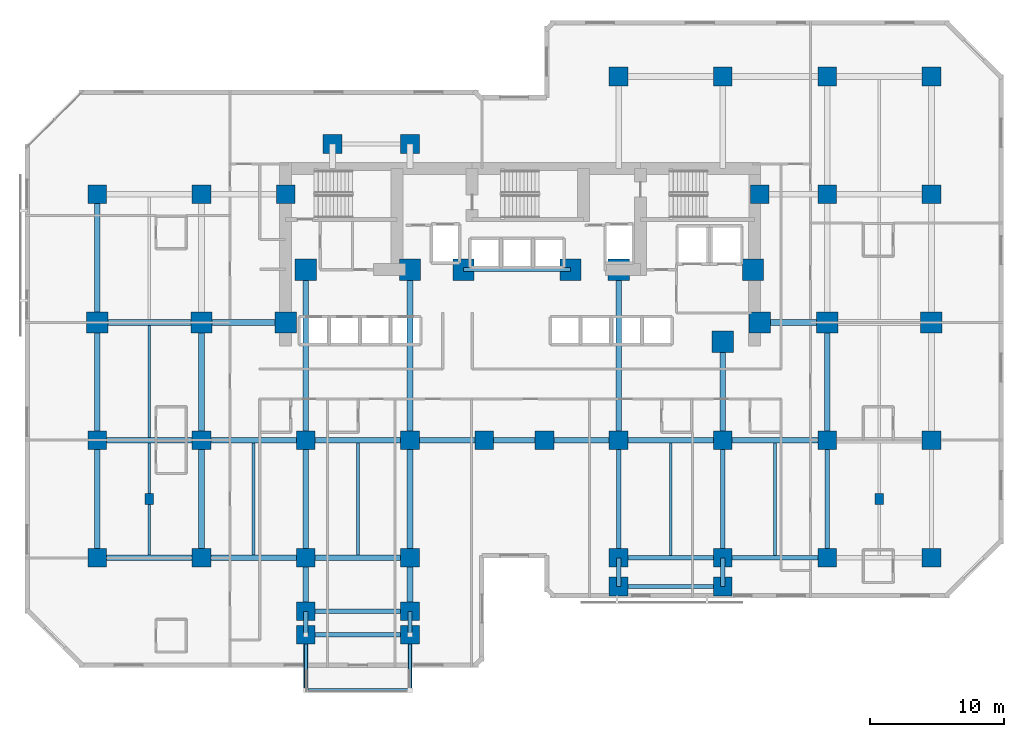
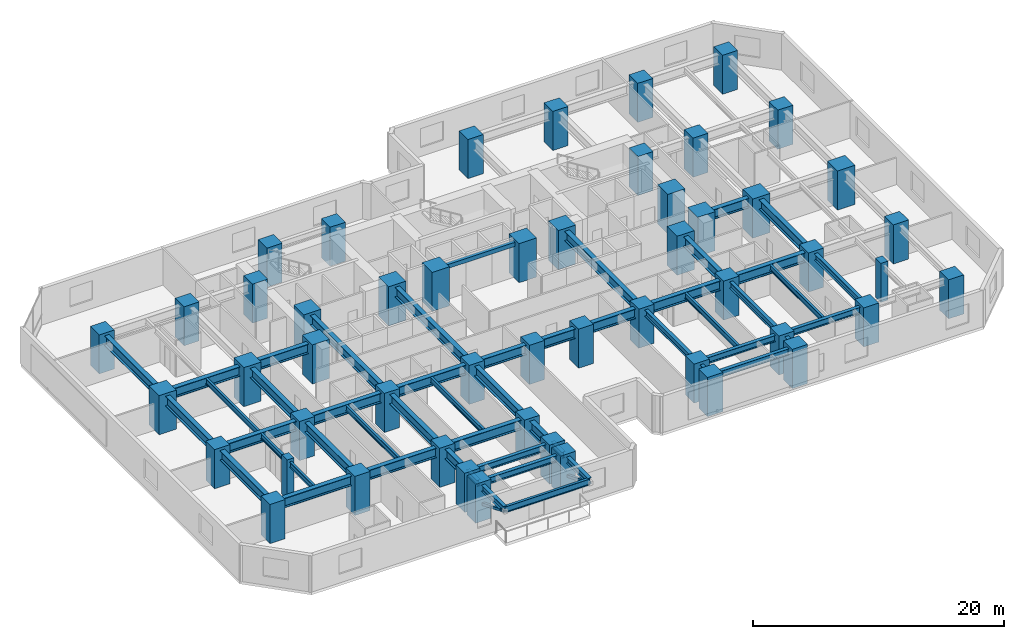
# One storey, part 1 of 12: 51 columns, 50 beams, 2 members.
"""IFC4 building model written with IfcOpenShell, lengths in metres."""

from ifc_helpers import new_model, si_unit, direction, frame, origin, origin_2d, place, context, subcontext, project, spatial, rectangle, hollow_rectangle, i_section, extrude, material, material_profile, profile_set, type_object, element, save


model = new_model("IFC4")

# Units and contexts
model_context = context("Model", 3, precision=1e-05, world=origin(), true_north=direction((0.0, 1.0)))
body_context = subcontext(model_context, "Body", "Model", "MODEL_VIEW")
ifc_project = project(units=[si_unit("LENGTHUNIT", "METRE"), si_unit("AREAUNIT", "SQUARE_METRE"), si_unit("VOLUMEUNIT", "CUBIC_METRE"), si_unit("PLANEANGLEUNIT", "RADIAN"), si_unit("MASSUNIT", "GRAM", prefix="KILO")], contexts=[model_context])

# Site, building, storey
site_placement = place(None, origin())
site = spatial("IfcSite", under=ifc_project, at=site_placement, CompositionType="ELEMENT")
building_placement = place(site_placement, origin())
building = spatial("IfcBuilding", under=site, at=building_placement, Name="Kestravale Grand Hotel", CompositionType="ELEMENT")
storey_placement = place(building_placement, frame((0.0, 0.0, 48.800048828125)))
storey = spatial("IfcBuildingStorey", under=building, at=storey_placement, Name="L11", CompositionType="ELEMENT", Elevation=48.800048828125)

# Columns
ifc_material_1 = material(Name="Concrete f'c 70 MPa", Category="concrete")
ifc_material_profile_1 = material_profile(ifc_material_1, rectangle(XDim=1.39990234375, YDim=1.39990234375, at=origin_2d()))
ifc_profile_set_1 = profile_set([ifc_material_profile_1], Name="Concrete f'c 70 MPa")
column_type_1 = type_object("IfcColumnType", Name="C-Z1-1400", PredefinedType="COLUMN", material=ifc_profile_set_1)
for number, where, z_axis, x_axis, name in (
    (1, (7.800048828125, 11.199951171875, 0.0), (0.0, 0.0, 1.0), (1.0, 0.0, 0.0), "L11 column 2-C"),
    (2, (7.800048828125, 20.0, 0.0), (0.0, 0.0, 1.0), (1.0, 0.0, 0.0), "L11 column 2-D"),
    (3, (7.800048828125, 38.39990234375, 0.0), (0.0, 0.0, 1.0), (1.0, 0.0, 0.0), "L11 column 2-F"),
    (4, (15.60009765625, 11.199951171875, 0.0), (0.0, 0.0, 1.0), (1.0, 0.0, 0.0), "L11 column 3-C"),
    (5, (15.60009765625, 20.0, 0.0), (0.0, 0.0, 1.0), (1.0, 0.0, 0.0), "L11 column 3-D"),
    (6, (15.60009765625, 38.39990234375, 0.0), (0.0, 0.0, 1.0), (1.0, 0.0, 0.0), "L11 column 3-F"),
    (7, (23.39990234375, 11.199951171875, 0.0), (0.0, 0.0, 1.0), (1.0, 0.0, 0.0), "L11 column 4-C"),
    (8, (23.39990234375, 20.0, 0.0), (0.0, 0.0, 1.0), (1.0, 0.0, 0.0), "L11 column 4-D"),
    (9, (31.199951171875, 11.199951171875, 0.0), (0.0, 0.0, 1.0), (1.0, 0.0, 0.0), "L11 column 5-C"),
    (10, (31.199951171875, 20.0, 0.0), (0.0, 0.0, 1.0), (1.0, 0.0, 0.0), "L11 column 5-D"),
    (11, (36.75, 20.0, 0.0), (0.0, 0.0, 1.0), (1.0, 0.0, 0.0), "L11 column 6-D"),
    (12, (41.25, 20.0, 0.0), (0.0, 0.0, 1.0), (1.0, 0.0, 0.0), "L11 column 7-D"),
    (13, (46.800048828125, 11.199951171875, 0.0), (0.0, 0.0, 1.0), (1.0, 0.0, 0.0), "L11 column 8-C"),
    (14, (46.800048828125, 20.0, 0.0), (0.0, 0.0, 1.0), (1.0, 0.0, 0.0), "L11 column 8-D"),
    (15, (46.800048828125, 47.199951171875, 0.0), (0.0, 0.0, 1.0), (1.0, 0.0, 0.0), "L11 column 8-G"),
    (16, (54.60009765625, 11.199951171875, 0.0), (0.0, 0.0, 1.0), (1.0, 0.0, 0.0), "L11 column 9-C"),
    (17, (54.60009765625, 20.0, 0.0), (0.0, 0.0, 1.0), (1.0, 0.0, 0.0), "L11 column 9-D"),
    (18, (54.60009765625, 47.199951171875, 0.0), (0.0, 0.0, 1.0), (1.0, 0.0, 0.0), "L11 column 9-G"),
    (19, (62.39990234375, 11.199951171875, 0.0), (0.0, 0.0, 1.0), (1.0, 0.0, 0.0), "L11 column 10-C"),
    (20, (62.39990234375, 20.0, 0.0), (0.0, 0.0, 1.0), (1.0, 0.0, 0.0), "L11 column 10-D"),
    (21, (62.39990234375, 38.39990234375, 0.0), (0.0, 0.0, 1.0), (1.0, 0.0, 0.0), "L11 column 10-F"),
    (22, (62.39990234375, 47.199951171875, 0.0), (0.0, 0.0, 1.0), (1.0, 0.0, 0.0), "L11 column 10-G"),
    (23, (70.199951171875, 11.199951171875, 0.0), (0.0, 0.0, 1.0), (1.0, 0.0, 0.0), "L11 column 11-C"),
    (24, (70.199951171875, 20.0, 0.0), (0.0, 0.0, 1.0), (1.0, 0.0, 0.0), "L11 column 11-D"),
    (25, (70.199951171875, 38.39990234375, 0.0), (0.0, 0.0, 1.0), (1.0, 0.0, 0.0), "L11 column 11-F"),
    (26, (70.199951171875, 47.199951171875, 0.0), (0.0, 0.0, 1.0), (1.0, 0.0, 0.0), "L11 column 11-G"),
    (27, (21.89990234375, 38.39990234375, 0.0), (0.0, 0.0, 1.0), (1.0, 0.0, 0.0), "L11 column CW-F"),
    (28, (57.35009765625, 38.39990234375, 0.0), (0.0, 0.0, 1.0), (1.0, 0.0, 0.0), "L11 column CE-F"),
    (29, (23.39990234375, 7.199951171875, 0.0), (0.0, 0.0, 1.0), (1.0, 0.0, 0.0), "L11 column 4-BS"),
    (30, (31.199951171875, 7.199951171875, 0.0), (0.0, 0.0, 1.0), (1.0, 0.0, 0.0), "L11 column 5-BS"),
    (31, (25.39990234375, 42.14990234375, 0.0), (0.0, 0.0, 1.0), (1.0, 0.0, 0.0), "L11 column 4-FN"),
    (32, (31.199951171875, 42.14990234375, 0.0), (0.0, 0.0, 1.0), (1.0, 0.0, 0.0), "L11 column 5-FN"),
    (33, (23.39990234375, 5.449951171875, 0.0), (0.0, 0.0, 1.0), (1.0, 0.0, 0.0), "L11 column 4-B1S"),
    (34, (31.199951171875, 5.449951171875, 0.0), (0.0, 0.0, 1.0), (1.0, 0.0, 0.0), "L11 column 5-B1S"),
    (35, (46.800048828125, 9.050048828125, 0.0), (0.0, 0.0, 1.0), (1.0, 0.0, 0.0), "L11 column 8-B1E"),
    (36, (54.60009765625, 9.050048828125, 0.0), (0.0, 0.0, 1.0), (1.0, 0.0, 0.0), "L11 column 9-B1E"),
):
    element("IfcColumn", number, at=place(storey_placement, frame(where, z_axis=z_axis, x_axis=x_axis)), inside=storey, type_object=column_type_1, Name=name, PredefinedType="COLUMN", context=body_context, shape_type="SweptSolid", body=[
        extrude(rectangle(XDim=1.39990234375, YDim=1.39990234375, at=origin_2d()), origin(), (0.0, 0.0, 1.0), 3.800048828125),
    ])
ifc_material_2 = material(Name="Concrete f'c 70 MPa", Category="concrete")
ifc_material_profile_2 = material_profile(ifc_material_2, rectangle(XDim=1.60009765625, YDim=1.60009765625, at=origin_2d()))
ifc_profile_set_2 = profile_set([ifc_material_profile_2], Name="Concrete f'c 70 MPa")
column_type_2 = type_object("IfcColumnType", Name="C-Z1-1600", PredefinedType="COLUMN", material=ifc_profile_set_2)
for number, where, z_axis, x_axis, name in (
    (37, (7.800048828125, 28.800048828125, 0.0), (0.0, 0.0, 1.0), (1.0, 0.0, 0.0), "L11 column 2-E"),
    (38, (15.60009765625, 28.800048828125, 0.0), (0.0, 0.0, 1.0), (1.0, 0.0, 0.0), "L11 column 3-E"),
    (39, (62.39990234375, 28.800048828125, 0.0), (0.0, 0.0, 1.0), (1.0, 0.0, 0.0), "L11 column 10-E"),
    (40, (70.199951171875, 28.800048828125, 0.0), (0.0, 0.0, 1.0), (1.0, 0.0, 0.0), "L11 column 11-E"),
    (41, (21.89990234375, 28.800048828125, 0.0), (0.0, 0.0, 1.0), (1.0, 0.0, 0.0), "L11 column CW-E"),
    (42, (57.35009765625, 28.800048828125, 0.0), (0.0, 0.0, 1.0), (1.0, 0.0, 0.0), "L11 column CE-E"),
    (43, (23.39990234375, 32.75, 0.0), (0.0, 0.0, 1.0), (1.0, 0.0, 0.0), "L11 column 4-CS"),
    (44, (31.199951171875, 32.75, 0.0), (0.0, 0.0, 1.0), (1.0, 0.0, 0.0), "L11 column 5-CS"),
    (45, (35.199951171875, 32.75, 0.0), (0.0, 0.0, 1.0), (1.0, 0.0, 0.0), "L11 column 6C-CS"),
    (46, (43.199951171875, 32.75, 0.0), (0.0, 0.0, 1.0), (1.0, 0.0, 0.0), "L11 column 7C-CS"),
    (47, (46.800048828125, 32.75, 0.0), (0.0, 0.0, 1.0), (1.0, 0.0, 0.0), "L11 column 8-CS"),
    (48, (54.60009765625, 27.35009765625, 0.0), (0.0, 0.0, 1.0), (1.0, 0.0, 0.0), "L11 column 9-CS"),
    (49, (56.85009765625, 32.75, 0.0), (0.0, 0.0, 1.0), (1.0, 0.0, 0.0), "L11 column 9C-CS"),
):
    element("IfcColumn", number, at=place(storey_placement, frame(where, z_axis=z_axis, x_axis=x_axis)), inside=storey, type_object=column_type_2, Name=name, PredefinedType="COLUMN", context=body_context, shape_type="SweptSolid", body=[
        extrude(rectangle(XDim=1.60009765625, YDim=1.60009765625, at=origin_2d()), origin(), (0.0, 0.0, 1.0), 3.800048828125),
    ])
ifc_material_3 = material(Name="Precast concrete f'c 45 MPa", Category="concrete")
ifc_material_profile_3 = material_profile(ifc_material_3, rectangle(XDim=0.64990234375, YDim=0.85009765625, at=origin_2d()))
ifc_profile_set_3 = profile_set([ifc_material_profile_3], Name="Precast concrete f'c 45 MPa")
column_type_3 = type_object("IfcColumnType", Name="C-Z1-PIL850", PredefinedType="PILASTER", material=ifc_profile_set_3)
for number, where, z_axis, x_axis, name in (
    (50, (11.699951171875, 15.60009765625, 0.0), (0.0, 0.0, 1.0), (1.0, 0.0, 0.0), "L11 Art Deco fluted pilaster P1"),
    (51, (66.300048828125, 15.60009765625, 0.0), (0.0, 0.0, 1.0), (1.0, 0.0, 0.0), "L11 Art Deco fluted pilaster P2"),
):
    element("IfcColumn", number, at=place(storey_placement, frame(where, z_axis=z_axis, x_axis=x_axis)), inside=storey, type_object=column_type_3, Name=name, PredefinedType="PILASTER", context=body_context, shape_type="SweptSolid", body=[
        extrude(rectangle(XDim=0.64990234375, YDim=0.85009765625, at=origin_2d()), origin(), (0.0, 0.0, 1.0), 3.800048828125),
    ])

# Beams
ifc_material_4 = material(Name="Steel ASTM A992 Grade 50", Category="steel")
ifc_material_profile_4 = material_profile(ifc_material_4, i_section(OverallWidth=0.2099609375, OverallDepth=0.535888671875, WebThickness=0.010986328125, FlangeThickness=0.017333984375, FilletRadius=0.017578125, at=origin_2d()))
ifc_profile_set_4 = profile_set([ifc_material_profile_4], Name="Steel ASTM A992 Grade 50")
beam_type_1 = type_object("IfcBeamType", Name="B-FLR-JST21", PredefinedType="JOIST", material=ifc_profile_set_4)
for number, where, z_axis, x_axis, name in (
    (52, (11.699951171875, 11.412109375, 3.27197265625), (0.0, 1.0, 0.0), (-1.0, 0.0, 0.0), "L11 floor joist 2-3/C-D #1"),
    (53, (11.699951171875, 20.2119140625, 3.27197265625), (0.0, 1.0, 0.0), (-1.0, 0.0, 0.0), "L11 floor joist 2-3/D-E #1"),
    (54, (19.5, 11.412109375, 3.27197265625), (0.0, 1.0, 0.0), (-1.0, 0.0, 0.0), "L11 floor joist 3-4/C-D #1"),
    (55, (27.300048828125, 11.412109375, 3.27197265625), (0.0, 1.0, 0.0), (-1.0, 0.0, 0.0), "L11 floor joist 4-5/C-D #1"),
):
    element("IfcBeam", number, at=place(storey_placement, frame(where, z_axis=z_axis, x_axis=x_axis)), inside=storey, type_object=beam_type_1, Name=name, PredefinedType="JOIST", context=body_context, shape_type="SweptSolid", body=[
        extrude(i_section(OverallWidth=0.2099609375, OverallDepth=0.535888671875, WebThickness=0.010986328125, FlangeThickness=0.017333984375, FilletRadius=0.017578125, at=origin_2d()), origin(), (0.0, 0.0, 1.0), 8.3759765625),
    ])
for number, where, z_axis, x_axis, name in (
    (56, (50.699951171875, 11.362548828125, 3.27197265625), (0.0, 1.0, 0.0), (-1.0, 0.0, 0.0), "L11 floor joist 8-9/C-D #1"),
    (57, (58.5, 11.362548828125, 3.27197265625), (0.0, 1.0, 0.0), (-1.0, 0.0, 0.0), "L11 floor joist 9-10/C-D #1"),
):
    element("IfcBeam", number, at=place(storey_placement, frame(where, z_axis=z_axis, x_axis=x_axis)), inside=storey, type_object=beam_type_1, Name=name, PredefinedType="JOIST", context=body_context, shape_type="SweptSolid", body=[
        extrude(i_section(OverallWidth=0.2099609375, OverallDepth=0.535888671875, WebThickness=0.010986328125, FlangeThickness=0.017333984375, FilletRadius=0.017578125, at=origin_2d()), origin(), (0.0, 0.0, 1.0), 8.425537109375),
    ])
ifc_material_5 = material(Name="Concrete f'c 45 MPa", Category="concrete")
ifc_material_profile_5 = material_profile(ifc_material_5, rectangle(XDim=0.300048828125, YDim=0.39990234375, at=origin_2d()))
ifc_profile_set_5 = profile_set([ifc_material_profile_5], Name="Concrete f'c 45 MPa")
beam_type_2 = type_object("IfcBeamType", Name="B-FLR-LNT400", PredefinedType="LINTEL", material=ifc_profile_set_5)
beam_1_placement = place(storey_placement, frame((35.199951171875, 32.75, 3.33984375), z_axis=(1.0, 0.0, 0.0), x_axis=(0.0, 1.0, 0.0)))
element("IfcBeam", 58, at=beam_1_placement, inside=storey, type_object=beam_type_2, Name="L11 core portal header lintel", PredefinedType="LINTEL", context=body_context, shape_type="SweptSolid", body=[
    extrude(rectangle(XDim=0.300048828125, YDim=0.39990234375, at=origin_2d()), origin(), (0.0, 0.0, 1.0), 8.0),
])
ifc_material_6 = material(Name="Steel ASTM A992 Grade 50", Category="steel")
ifc_material_profile_6 = material_profile(ifc_material_6, i_section(OverallWidth=0.324951171875, OverallDepth=0.612060546875, WebThickness=0.0126953125, FlangeThickness=0.01904296875, FilletRadius=0.018798828125, at=origin_2d()))
ifc_profile_set_6 = profile_set([ifc_material_profile_6], Name="Steel ASTM A992 Grade 50")
beam_type_3 = type_object("IfcBeamType", Name="B-FLR-W24A", PredefinedType="SPANDREL", material=ifc_profile_set_6)
beam_2_placement = place(storey_placement, frame((46.800048828125, 11.199951171875, 3.23388671875), z_axis=(1.0, 0.0, 0.0), x_axis=(0.0, 1.0, 0.0)))
element("IfcBeam", 59, at=beam_2_placement, inside=storey, type_object=beam_type_3, Name="L11 spandrel C:8-9", PredefinedType="SPANDREL", context=body_context, shape_type="SweptSolid", body=[
    extrude(i_section(OverallWidth=0.324951171875, OverallDepth=0.612060546875, WebThickness=0.0126953125, FlangeThickness=0.01904296875, FilletRadius=0.018798828125, at=origin_2d()), origin(), (0.0, 0.0, 1.0), 7.800048828125),
])
beam_3_placement = place(storey_placement, frame((54.60009765625, 11.199951171875, 3.23388671875), z_axis=(1.0, 0.0, 0.0), x_axis=(0.0, 1.0, 0.0)))
element("IfcBeam", 60, at=beam_3_placement, inside=storey, type_object=beam_type_3, Name="L11 spandrel C:9-10", PredefinedType="SPANDREL", context=body_context, shape_type="SweptSolid", body=[
    extrude(i_section(OverallWidth=0.324951171875, OverallDepth=0.612060546875, WebThickness=0.0126953125, FlangeThickness=0.01904296875, FilletRadius=0.018798828125, at=origin_2d()), origin(), (0.0, 0.0, 1.0), 7.7998046875),
])
for number, where, z_axis, x_axis, name in (
    (61, (23.39990234375, 5.449951171875, 3.23388671875), (1.0, 0.0, 0.0), (0.0, 1.0, 0.0), "L11 perimeter tie spandrel B1S:4-5"),
    (62, (46.800048828125, 9.050048828125, 3.23388671875), (1.0, 0.0, 0.0), (0.0, 1.0, 0.0), "L11 perimeter tie spandrel B1E:8-9"),
    (63, (23.39990234375, 7.199951171875, 3.23388671875), (1.0, 0.0, 0.0), (0.0, 1.0, 0.0), "L11 perimeter tie spandrel BS:4-5"),
):
    element("IfcBeam", number, at=place(storey_placement, frame(where, z_axis=z_axis, x_axis=x_axis)), inside=storey, type_object=beam_type_3, Name=name, PredefinedType="SPANDREL", context=body_context, shape_type="SweptSolid", body=[
        extrude(i_section(OverallWidth=0.324951171875, OverallDepth=0.612060546875, WebThickness=0.0126953125, FlangeThickness=0.01904296875, FilletRadius=0.018798828125, at=origin_2d()), origin(), (0.0, 0.0, 1.0), 7.800048828125),
    ])
for number, where, z_axis, x_axis, name in (
    (64, (23.39990234375, 5.449951171875, 3.23388671875), (0.0, 1.0, 0.0), (-1.0, 0.0, 0.0), "L11 spandrel 4:B1S-BS"),
    (65, (31.199951171875, 5.449951171875, 3.23388671875), (0.0, 1.0, 0.0), (-1.0, 0.0, 0.0), "L11 spandrel 5:B1S-BS"),
):
    element("IfcBeam", number, at=place(storey_placement, frame(where, z_axis=z_axis, x_axis=x_axis)), inside=storey, type_object=beam_type_3, Name=name, PredefinedType="SPANDREL", context=body_context, shape_type="SweptSolid", body=[
        extrude(i_section(OverallWidth=0.324951171875, OverallDepth=0.612060546875, WebThickness=0.0126953125, FlangeThickness=0.01904296875, FilletRadius=0.018798828125, at=origin_2d()), origin(), (0.0, 0.0, 1.0), 1.75),
    ])
beam_4_placement = place(storey_placement, frame((46.800048828125, 9.050048828125, 3.23388671875), z_axis=(0.0, 1.0, 0.0), x_axis=(-1.0, 0.0, 0.0)))
element("IfcBeam", 66, at=beam_4_placement, inside=storey, type_object=beam_type_3, Name="L11 spandrel 8:B1E-C", PredefinedType="SPANDREL", context=body_context, shape_type="SweptSolid", body=[
    extrude(i_section(OverallWidth=0.324951171875, OverallDepth=0.612060546875, WebThickness=0.0126953125, FlangeThickness=0.01904296875, FilletRadius=0.018798828125, at=origin_2d()), origin(), (0.0, 0.0, 1.0), 2.14990234375),
])
beam_5_placement = place(storey_placement, frame((46.800048828125, 11.199951171875, 3.23388671875), z_axis=(0.0, 1.0, 0.0), x_axis=(-1.0, 0.0, 0.0)))
element("IfcBeam", 67, at=beam_5_placement, inside=storey, type_object=beam_type_3, Name="L11 spandrel 8:C-D", PredefinedType="SPANDREL", context=body_context, shape_type="SweptSolid", body=[
    extrude(i_section(OverallWidth=0.324951171875, OverallDepth=0.612060546875, WebThickness=0.0126953125, FlangeThickness=0.01904296875, FilletRadius=0.018798828125, at=origin_2d()), origin(), (0.0, 0.0, 1.0), 8.800048828125),
])
beam_6_placement = place(storey_placement, frame((54.60009765625, 9.050048828125, 3.23388671875), z_axis=(0.0, 1.0, 0.0), x_axis=(-1.0, 0.0, 0.0)))
element("IfcBeam", 68, at=beam_6_placement, inside=storey, type_object=beam_type_3, Name="L11 spandrel 9:B1E-C", PredefinedType="SPANDREL", context=body_context, shape_type="SweptSolid", body=[
    extrude(i_section(OverallWidth=0.324951171875, OverallDepth=0.612060546875, WebThickness=0.0126953125, FlangeThickness=0.01904296875, FilletRadius=0.018798828125, at=origin_2d()), origin(), (0.0, 0.0, 1.0), 2.14990234375),
])
for number, where, z_axis, x_axis, name in (
    (69, (54.60009765625, 11.199951171875, 3.23388671875), (0.0, 1.0, 0.0), (-1.0, 0.0, 0.0), "L11 spandrel 9:C-D"),
    (70, (62.39990234375, 11.199951171875, 3.23388671875), (0.0, 1.0, 0.0), (-1.0, 0.0, 0.0), "L11 spandrel 10:C-D"),
):
    element("IfcBeam", number, at=place(storey_placement, frame(where, z_axis=z_axis, x_axis=x_axis)), inside=storey, type_object=beam_type_3, Name=name, PredefinedType="SPANDREL", context=body_context, shape_type="SweptSolid", body=[
        extrude(i_section(OverallWidth=0.324951171875, OverallDepth=0.612060546875, WebThickness=0.0126953125, FlangeThickness=0.01904296875, FilletRadius=0.018798828125, at=origin_2d()), origin(), (0.0, 0.0, 1.0), 8.800048828125),
    ])
for number, where, z_axis, x_axis, name in (
    (71, (23.39990234375, 5.449951171875, 3.223876953125), (0.0, -1.0, 0.0), (1.0, 0.0, 0.0), "L12 terrace cantilever beam 1"),
    (72, (31.199951171875, 5.449951171875, 3.223876953125), (0.0, -1.0, 0.0), (1.0, 0.0, 0.0), "L12 terrace cantilever beam 2"),
):
    element("IfcBeam", number, at=place(storey_placement, frame(where, z_axis=z_axis, x_axis=x_axis)), inside=storey, type_object=beam_type_3, Name=name, PredefinedType="SPANDREL", context=body_context, shape_type="SweptSolid", body=[
        extrude(i_section(OverallWidth=0.324951171875, OverallDepth=0.612060546875, WebThickness=0.0126953125, FlangeThickness=0.01904296875, FilletRadius=0.018798828125, at=origin_2d()), origin(), (0.0, 0.0, 1.0), 4.14990234375),
    ])
ifc_material_7 = material(Name="Steel ASTM A992 Grade 50", Category="steel")
ifc_material_profile_7 = material_profile(ifc_material_7, i_section(OverallWidth=0.22900390625, OverallDepth=0.612060546875, WebThickness=0.011962890625, FlangeThickness=0.01953125, FilletRadius=0.019287109375, at=origin_2d()))
ifc_profile_set_7 = profile_set([ifc_material_profile_7], Name="Steel ASTM A992 Grade 50")
beam_type_4 = type_object("IfcBeamType", Name="B-FLR-W24B", PredefinedType="SPANDREL", material=ifc_profile_set_7)
beam_7_placement = place(storey_placement, frame((23.39990234375, 1.300048828125, 3.223876953125), z_axis=(1.0, 0.0, 0.0), x_axis=(0.0, 1.0, 0.0)))
element("IfcBeam", 73, at=beam_7_placement, inside=storey, type_object=beam_type_4, Name="L12 terrace edge spandrel", PredefinedType="SPANDREL", context=body_context, shape_type="SweptSolid", body=[
    extrude(i_section(OverallWidth=0.22900390625, OverallDepth=0.612060546875, WebThickness=0.011962890625, FlangeThickness=0.01953125, FilletRadius=0.019287109375, at=origin_2d()), origin(), (0.0, 0.0, 1.0), 7.800048828125),
])
ifc_material_8 = material(Name="Steel ASTM A992 Grade 50", Category="steel")
ifc_material_profile_8 = material_profile(ifc_material_8, i_section(OverallWidth=0.424072265625, OverallDepth=0.947021484375, WebThickness=0.02392578125, FlangeThickness=0.042724609375, FilletRadius=0.0283203125, at=origin_2d()))
ifc_profile_set_8 = profile_set([ifc_material_profile_8], Name="Steel ASTM A992 Grade 50")
beam_type_5 = type_object("IfcBeamType", Name="B-GRD-W36", PredefinedType="BEAM", material=ifc_profile_set_8)
beam_8_placement = place(storey_placement, frame((7.800048828125, 11.199951171875, 3.06640625), z_axis=(1.0, 0.0, 0.0), x_axis=(0.0, 1.0, 0.0)))
element("IfcBeam", 74, at=beam_8_placement, inside=storey, type_object=beam_type_5, Name="L11 girder C:2-3", PredefinedType="BEAM", context=body_context, shape_type="SweptSolid", body=[
    extrude(i_section(OverallWidth=0.424072265625, OverallDepth=0.947021484375, WebThickness=0.02392578125, FlangeThickness=0.042724609375, FilletRadius=0.0283203125, at=origin_2d()), origin(), (0.0, 0.0, 1.0), 7.800048828125),
])
beam_9_placement = place(storey_placement, frame((15.60009765625, 11.199951171875, 3.06640625), z_axis=(1.0, 0.0, 0.0), x_axis=(0.0, 1.0, 0.0)))
element("IfcBeam", 75, at=beam_9_placement, inside=storey, type_object=beam_type_5, Name="L11 girder C:3-4", PredefinedType="BEAM", context=body_context, shape_type="SweptSolid", body=[
    extrude(i_section(OverallWidth=0.424072265625, OverallDepth=0.947021484375, WebThickness=0.02392578125, FlangeThickness=0.042724609375, FilletRadius=0.0283203125, at=origin_2d()), origin(), (0.0, 0.0, 1.0), 7.7998046875),
])
for number, where, z_axis, x_axis, name in (
    (76, (23.39990234375, 11.199951171875, 3.06640625), (1.0, 0.0, 0.0), (0.0, 1.0, 0.0), "L11 girder C:4-5"),
    (77, (7.800048828125, 20.0, 3.06640625), (1.0, 0.0, 0.0), (0.0, 1.0, 0.0), "L11 girder D:2-3"),
):
    element("IfcBeam", number, at=place(storey_placement, frame(where, z_axis=z_axis, x_axis=x_axis)), inside=storey, type_object=beam_type_5, Name=name, PredefinedType="BEAM", context=body_context, shape_type="SweptSolid", body=[
        extrude(i_section(OverallWidth=0.424072265625, OverallDepth=0.947021484375, WebThickness=0.02392578125, FlangeThickness=0.042724609375, FilletRadius=0.0283203125, at=origin_2d()), origin(), (0.0, 0.0, 1.0), 7.800048828125),
    ])
beam_10_placement = place(storey_placement, frame((15.60009765625, 20.0, 3.06640625), z_axis=(1.0, 0.0, 0.0), x_axis=(0.0, 1.0, 0.0)))
element("IfcBeam", 78, at=beam_10_placement, inside=storey, type_object=beam_type_5, Name="L11 girder D:3-4", PredefinedType="BEAM", context=body_context, shape_type="SweptSolid", body=[
    extrude(i_section(OverallWidth=0.424072265625, OverallDepth=0.947021484375, WebThickness=0.02392578125, FlangeThickness=0.042724609375, FilletRadius=0.0283203125, at=origin_2d()), origin(), (0.0, 0.0, 1.0), 7.7998046875),
])
beam_11_placement = place(storey_placement, frame((23.39990234375, 20.0, 3.06640625), z_axis=(1.0, 0.0, 0.0), x_axis=(0.0, 1.0, 0.0)))
element("IfcBeam", 79, at=beam_11_placement, inside=storey, type_object=beam_type_5, Name="L11 girder D:4-5", PredefinedType="BEAM", context=body_context, shape_type="SweptSolid", body=[
    extrude(i_section(OverallWidth=0.424072265625, OverallDepth=0.947021484375, WebThickness=0.02392578125, FlangeThickness=0.042724609375, FilletRadius=0.0283203125, at=origin_2d()), origin(), (0.0, 0.0, 1.0), 7.800048828125),
])
beam_12_placement = place(storey_placement, frame((31.199951171875, 20.0, 3.06640625), z_axis=(1.0, 0.0, 0.0), x_axis=(0.0, 1.0, 0.0)))
element("IfcBeam", 80, at=beam_12_placement, inside=storey, type_object=beam_type_5, Name="L11 girder D:5-6", PredefinedType="BEAM", context=body_context, shape_type="SweptSolid", body=[
    extrude(i_section(OverallWidth=0.424072265625, OverallDepth=0.947021484375, WebThickness=0.02392578125, FlangeThickness=0.042724609375, FilletRadius=0.0283203125, at=origin_2d()), origin(), (0.0, 0.0, 1.0), 5.550048828125),
])
beam_13_placement = place(storey_placement, frame((36.75, 20.0, 3.06640625), z_axis=(1.0, 0.0, 0.0), x_axis=(0.0, 1.0, 0.0)))
element("IfcBeam", 81, at=beam_13_placement, inside=storey, type_object=beam_type_5, Name="L11 girder D:6-7", PredefinedType="BEAM", context=body_context, shape_type="SweptSolid", body=[
    extrude(i_section(OverallWidth=0.424072265625, OverallDepth=0.947021484375, WebThickness=0.02392578125, FlangeThickness=0.042724609375, FilletRadius=0.0283203125, at=origin_2d()), origin(), (0.0, 0.0, 1.0), 4.5),
])
beam_14_placement = place(storey_placement, frame((41.25, 20.0, 3.06640625), z_axis=(1.0, 0.0, 0.0), x_axis=(0.0, 1.0, 0.0)))
element("IfcBeam", 82, at=beam_14_placement, inside=storey, type_object=beam_type_5, Name="L11 girder D:7-8", PredefinedType="BEAM", context=body_context, shape_type="SweptSolid", body=[
    extrude(i_section(OverallWidth=0.424072265625, OverallDepth=0.947021484375, WebThickness=0.02392578125, FlangeThickness=0.042724609375, FilletRadius=0.0283203125, at=origin_2d()), origin(), (0.0, 0.0, 1.0), 5.550048828125),
])
beam_15_placement = place(storey_placement, frame((46.800048828125, 20.0, 3.06640625), z_axis=(1.0, 0.0, 0.0), x_axis=(0.0, 1.0, 0.0)))
element("IfcBeam", 83, at=beam_15_placement, inside=storey, type_object=beam_type_5, Name="L11 girder D:8-9", PredefinedType="BEAM", context=body_context, shape_type="SweptSolid", body=[
    extrude(i_section(OverallWidth=0.424072265625, OverallDepth=0.947021484375, WebThickness=0.02392578125, FlangeThickness=0.042724609375, FilletRadius=0.0283203125, at=origin_2d()), origin(), (0.0, 0.0, 1.0), 7.800048828125),
])
beam_16_placement = place(storey_placement, frame((54.60009765625, 20.0, 3.06640625), z_axis=(1.0, 0.0, 0.0), x_axis=(0.0, 1.0, 0.0)))
element("IfcBeam", 84, at=beam_16_placement, inside=storey, type_object=beam_type_5, Name="L11 girder D:9-10", PredefinedType="BEAM", context=body_context, shape_type="SweptSolid", body=[
    extrude(i_section(OverallWidth=0.424072265625, OverallDepth=0.947021484375, WebThickness=0.02392578125, FlangeThickness=0.042724609375, FilletRadius=0.0283203125, at=origin_2d()), origin(), (0.0, 0.0, 1.0), 7.7998046875),
])
beam_17_placement = place(storey_placement, frame((7.800048828125, 28.800048828125, 3.06640625), z_axis=(1.0, 0.0, 0.0), x_axis=(0.0, 1.0, 0.0)))
element("IfcBeam", 85, at=beam_17_placement, inside=storey, type_object=beam_type_5, Name="L11 girder E:2-3", PredefinedType="BEAM", context=body_context, shape_type="SweptSolid", body=[
    extrude(i_section(OverallWidth=0.424072265625, OverallDepth=0.947021484375, WebThickness=0.02392578125, FlangeThickness=0.042724609375, FilletRadius=0.0283203125, at=origin_2d()), origin(), (0.0, 0.0, 1.0), 7.800048828125),
])
beam_18_placement = place(storey_placement, frame((15.60009765625, 28.800048828125, 3.06640625), z_axis=(1.0, 0.0, 0.0), x_axis=(0.0, 1.0, 0.0)))
element("IfcBeam", 86, at=beam_18_placement, inside=storey, type_object=beam_type_5, Name="L11 girder E:3-CW", PredefinedType="BEAM", context=body_context, shape_type="SweptSolid", body=[
    extrude(i_section(OverallWidth=0.424072265625, OverallDepth=0.947021484375, WebThickness=0.02392578125, FlangeThickness=0.042724609375, FilletRadius=0.0283203125, at=origin_2d()), origin(), (0.0, 0.0, 1.0), 6.2998046875),
])
beam_19_placement = place(storey_placement, frame((57.35009765625, 28.800048828125, 3.06640625), z_axis=(1.0, 0.0, 0.0), x_axis=(0.0, 1.0, 0.0)))
element("IfcBeam", 87, at=beam_19_placement, inside=storey, type_object=beam_type_5, Name="L11 girder E:CE-10", PredefinedType="BEAM", context=body_context, shape_type="SweptSolid", body=[
    extrude(i_section(OverallWidth=0.424072265625, OverallDepth=0.947021484375, WebThickness=0.02392578125, FlangeThickness=0.042724609375, FilletRadius=0.0283203125, at=origin_2d()), origin(), (0.0, 0.0, 1.0), 5.0498046875),
])
for number, where, z_axis, x_axis, name in (
    (88, (7.800048828125, 11.199951171875, 3.06640625), (0.0, 1.0, 0.0), (-1.0, 0.0, 0.0), "L11 girder 2:C-D"),
    (89, (7.800048828125, 20.0, 3.06640625), (0.0, 1.0, 0.0), (-1.0, 0.0, 0.0), "L11 girder 2:D-E"),
):
    element("IfcBeam", number, at=place(storey_placement, frame(where, z_axis=z_axis, x_axis=x_axis)), inside=storey, type_object=beam_type_5, Name=name, PredefinedType="BEAM", context=body_context, shape_type="SweptSolid", body=[
        extrude(i_section(OverallWidth=0.424072265625, OverallDepth=0.947021484375, WebThickness=0.02392578125, FlangeThickness=0.042724609375, FilletRadius=0.0283203125, at=origin_2d()), origin(), (0.0, 0.0, 1.0), 8.800048828125),
    ])
beam_20_placement = place(storey_placement, frame((7.800048828125, 28.800048828125, 3.06640625), z_axis=(0.0, 1.0, 0.0), x_axis=(-1.0, 0.0, 0.0)))
element("IfcBeam", 90, at=beam_20_placement, inside=storey, type_object=beam_type_5, Name="L11 girder 2:E-F", PredefinedType="BEAM", context=body_context, shape_type="SweptSolid", body=[
    extrude(i_section(OverallWidth=0.424072265625, OverallDepth=0.947021484375, WebThickness=0.02392578125, FlangeThickness=0.042724609375, FilletRadius=0.0283203125, at=origin_2d()), origin(), (0.0, 0.0, 1.0), 9.599853515625),
])
for number, where, z_axis, x_axis, name in (
    (91, (15.60009765625, 11.199951171875, 3.06640625), (0.0, 1.0, 0.0), (-1.0, 0.0, 0.0), "L11 girder 3:C-D"),
    (92, (15.60009765625, 20.0, 3.06640625), (0.0, 1.0, 0.0), (-1.0, 0.0, 0.0), "L11 girder 3:D-E"),
):
    element("IfcBeam", number, at=place(storey_placement, frame(where, z_axis=z_axis, x_axis=x_axis)), inside=storey, type_object=beam_type_5, Name=name, PredefinedType="BEAM", context=body_context, shape_type="SweptSolid", body=[
        extrude(i_section(OverallWidth=0.424072265625, OverallDepth=0.947021484375, WebThickness=0.02392578125, FlangeThickness=0.042724609375, FilletRadius=0.0283203125, at=origin_2d()), origin(), (0.0, 0.0, 1.0), 8.800048828125),
    ])
beam_21_placement = place(storey_placement, frame((23.39990234375, 7.199951171875, 3.06640625), z_axis=(0.0, 1.0, 0.0), x_axis=(-1.0, 0.0, 0.0)))
element("IfcBeam", 93, at=beam_21_placement, inside=storey, type_object=beam_type_5, Name="L11 girder 4:BS-C", PredefinedType="BEAM", context=body_context, shape_type="SweptSolid", body=[
    extrude(i_section(OverallWidth=0.424072265625, OverallDepth=0.947021484375, WebThickness=0.02392578125, FlangeThickness=0.042724609375, FilletRadius=0.0283203125, at=origin_2d()), origin(), (0.0, 0.0, 1.0), 4.0),
])
beam_22_placement = place(storey_placement, frame((23.39990234375, 11.199951171875, 3.06640625), z_axis=(0.0, 1.0, 0.0), x_axis=(-1.0, 0.0, 0.0)))
element("IfcBeam", 94, at=beam_22_placement, inside=storey, type_object=beam_type_5, Name="L11 girder 4:C-D", PredefinedType="BEAM", context=body_context, shape_type="SweptSolid", body=[
    extrude(i_section(OverallWidth=0.424072265625, OverallDepth=0.947021484375, WebThickness=0.02392578125, FlangeThickness=0.042724609375, FilletRadius=0.0283203125, at=origin_2d()), origin(), (0.0, 0.0, 1.0), 8.800048828125),
])
beam_23_placement = place(storey_placement, frame((23.39990234375, 20.0, 3.06640625), z_axis=(0.0, 1.0, 0.0), x_axis=(-1.0, 0.0, 0.0)))
element("IfcBeam", 95, at=beam_23_placement, inside=storey, type_object=beam_type_5, Name="L11 girder 4:D-CS", PredefinedType="BEAM", context=body_context, shape_type="SweptSolid", body=[
    extrude(i_section(OverallWidth=0.424072265625, OverallDepth=0.947021484375, WebThickness=0.02392578125, FlangeThickness=0.042724609375, FilletRadius=0.0283203125, at=origin_2d()), origin(), (0.0, 0.0, 1.0), 12.75),
])
beam_24_placement = place(storey_placement, frame((31.199951171875, 7.199951171875, 3.06640625), z_axis=(0.0, 1.0, 0.0), x_axis=(-1.0, 0.0, 0.0)))
element("IfcBeam", 96, at=beam_24_placement, inside=storey, type_object=beam_type_5, Name="L11 girder 5:BS-C", PredefinedType="BEAM", context=body_context, shape_type="SweptSolid", body=[
    extrude(i_section(OverallWidth=0.424072265625, OverallDepth=0.947021484375, WebThickness=0.02392578125, FlangeThickness=0.042724609375, FilletRadius=0.0283203125, at=origin_2d()), origin(), (0.0, 0.0, 1.0), 4.0),
])
beam_25_placement = place(storey_placement, frame((31.199951171875, 11.199951171875, 3.06640625), z_axis=(0.0, 1.0, 0.0), x_axis=(-1.0, 0.0, 0.0)))
element("IfcBeam", 97, at=beam_25_placement, inside=storey, type_object=beam_type_5, Name="L11 girder 5:C-D", PredefinedType="BEAM", context=body_context, shape_type="SweptSolid", body=[
    extrude(i_section(OverallWidth=0.424072265625, OverallDepth=0.947021484375, WebThickness=0.02392578125, FlangeThickness=0.042724609375, FilletRadius=0.0283203125, at=origin_2d()), origin(), (0.0, 0.0, 1.0), 8.800048828125),
])
for number, where, z_axis, x_axis, name in (
    (98, (31.199951171875, 20.0, 3.06640625), (0.0, 1.0, 0.0), (-1.0, 0.0, 0.0), "L11 girder 5:D-CS"),
    (99, (46.800048828125, 20.0, 3.06640625), (0.0, 1.0, 0.0), (-1.0, 0.0, 0.0), "L11 girder 8:D-CS"),
):
    element("IfcBeam", number, at=place(storey_placement, frame(where, z_axis=z_axis, x_axis=x_axis)), inside=storey, type_object=beam_type_5, Name=name, PredefinedType="BEAM", context=body_context, shape_type="SweptSolid", body=[
        extrude(i_section(OverallWidth=0.424072265625, OverallDepth=0.947021484375, WebThickness=0.02392578125, FlangeThickness=0.042724609375, FilletRadius=0.0283203125, at=origin_2d()), origin(), (0.0, 0.0, 1.0), 12.75),
    ])
beam_26_placement = place(storey_placement, frame((54.60009765625, 20.0, 3.06640625), z_axis=(0.0, 1.0, 0.0), x_axis=(-1.0, 0.0, 0.0)))
element("IfcBeam", 100, at=beam_26_placement, inside=storey, type_object=beam_type_5, Name="L11 girder 9:D-CS", PredefinedType="BEAM", context=body_context, shape_type="SweptSolid", body=[
    extrude(i_section(OverallWidth=0.424072265625, OverallDepth=0.947021484375, WebThickness=0.02392578125, FlangeThickness=0.042724609375, FilletRadius=0.0283203125, at=origin_2d()), origin(), (0.0, 0.0, 1.0), 7.35009765625),
])
beam_27_placement = place(storey_placement, frame((62.39990234375, 20.0, 3.06640625), z_axis=(0.0, 1.0, 0.0), x_axis=(-1.0, 0.0, 0.0)))
element("IfcBeam", 101, at=beam_27_placement, inside=storey, type_object=beam_type_5, Name="L11 girder 10:D-E", PredefinedType="BEAM", context=body_context, shape_type="SweptSolid", body=[
    extrude(i_section(OverallWidth=0.424072265625, OverallDepth=0.947021484375, WebThickness=0.02392578125, FlangeThickness=0.042724609375, FilletRadius=0.0283203125, at=origin_2d()), origin(), (0.0, 0.0, 1.0), 8.800048828125),
])

# Members
ifc_material_9 = material(Name="Steel ASTM A500 Grade C", Category="steel")
ifc_material_profile_9 = material_profile(ifc_material_9, hollow_rectangle(XDim=0.25, YDim=0.25, WallThickness=0.011962890625, InnerFilletRadius=0.011962890625, OuterFilletRadius=0.02392578125, at=origin_2d()))
ifc_profile_set_9 = profile_set([ifc_material_profile_9], Name="Steel ASTM A500 Grade C")
member_type = type_object("IfcMemberType", Name="M-BLT-STR250", PredefinedType="STRUT", material=ifc_profile_set_9)
for number, where, z_axis, x_axis, name in (
    (102, (23.39990234375, 5.449951171875, 1.3740234375), (0.0, -0.925369949496, 0.379065240519), (1.0, 0.0, 0.0), "L12 terrace knee-brace strut 1"),
    (103, (31.199951171875, 5.449951171875, 1.3740234375), (0.0, -0.925369949496, 0.379065240519), (1.0, 0.0, 0.0), "L12 terrace knee-brace strut 2"),
):
    element("IfcMember", number, at=place(storey_placement, frame(where, z_axis=z_axis, x_axis=x_axis)), inside=storey, type_object=member_type, Name=name, PredefinedType="STRUT", context=body_context, shape_type="SweptSolid", body=[
        extrude(hollow_rectangle(XDim=0.25, YDim=0.25, WallThickness=0.011962890625, InnerFilletRadius=0.011962890625, OuterFilletRadius=0.02392578125, at=origin_2d()), origin(), (0.0, 0.0, 1.0), 4.484619140625),
    ])

save(model, "model.ifc")
